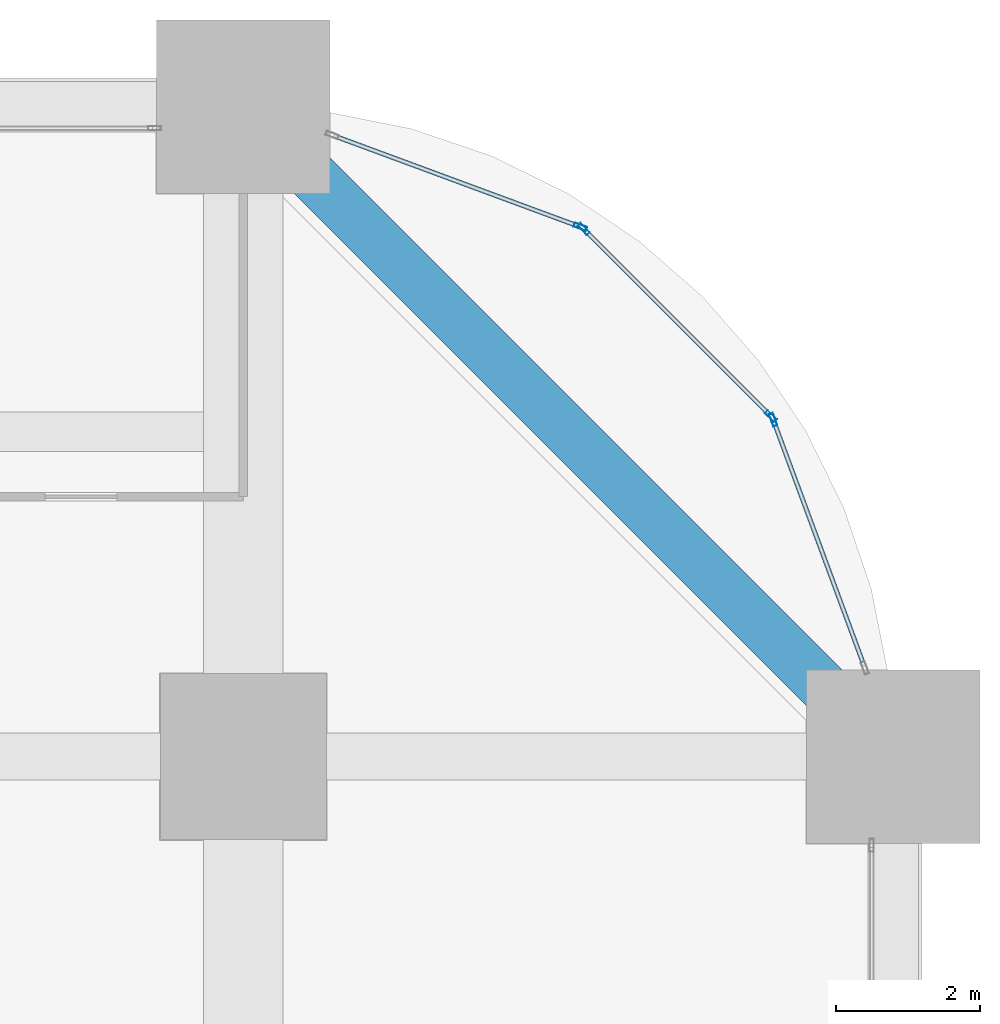
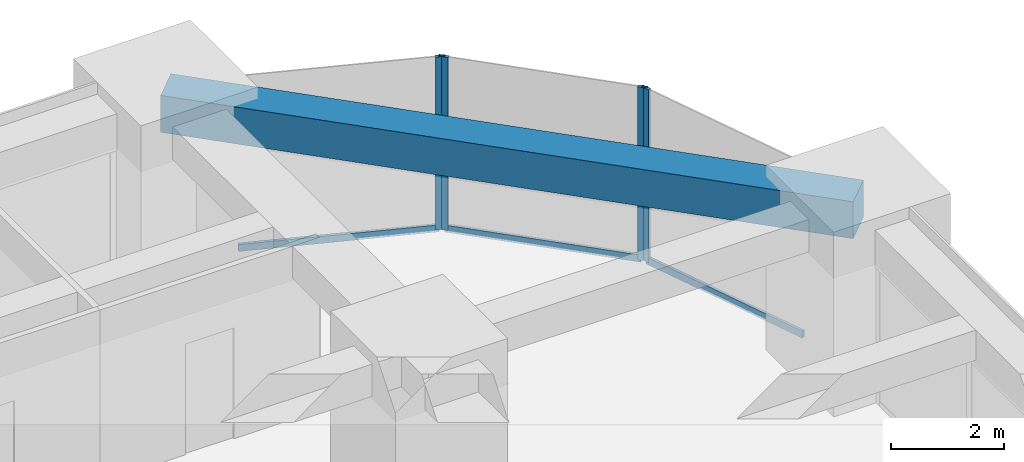
# One storey, part 37 of 44: 7 members, 1 beam, 3 elements without a shape of their own.
"""IFC4 building model written with IfcOpenShell, lengths in metres."""

from ifc_helpers import new_model, si_unit, direction, frame, origin, origin_2d, place, context, subcontext, project, spatial, rectangle, hollow_rectangle, extrude, material, material_profile, profile_set, type_object, element, aggregate, save


model = new_model("IFC4")

# Units and contexts
model_context = context("Model", 3, precision=1e-05, world=origin(), true_north=direction((0.0, 1.0)))
body_context = subcontext(model_context, "Body", "Model", "MODEL_VIEW")
ifc_project = project(units=[si_unit("LENGTHUNIT", "METRE"), si_unit("AREAUNIT", "SQUARE_METRE"), si_unit("VOLUMEUNIT", "CUBIC_METRE"), si_unit("PLANEANGLEUNIT", "RADIAN"), si_unit("MASSUNIT", "GRAM", prefix="KILO")], contexts=[model_context])

# Site, building, storey
site_placement = place(None, origin())
site = spatial("IfcSite", under=ifc_project, at=site_placement, CompositionType="ELEMENT")
building_placement = place(site_placement, origin())
building = spatial("IfcBuilding", under=site, at=building_placement, Name="Zorevar Civic Tower", CompositionType="ELEMENT")
storey_placement = place(building_placement, frame((0.0, 0.0, 35.800048828125)))
storey = spatial("IfcBuildingStorey", under=building, at=storey_placement, Name="L08", CompositionType="ELEMENT", Elevation=35.800048828125)

# Curtain wall, member
ifc_material_1 = material(Name="Dark grey solar-control glass in black aluminium frame", Category="aluminium")
curtain_wall_type = type_object("IfcCurtainWallType", Name="Curtain wall CW2 low zone", PredefinedType="NOTDEFINED", material=ifc_material_1)
curtain_wall_1_placement = place(storey_placement, origin())
curtain_wall_1 = element("IfcCurtainWall", 1, at=curtain_wall_1_placement, inside=storey, type_object=curtain_wall_type, Name="CW2 L08", PredefinedType="NOTDEFINED")
ifc_material_2 = material(Name="Aluminium, black anodised", Category="aluminium")
ifc_material_profile_1 = material_profile(ifc_material_2, hollow_rectangle(XDim=0.06005859375, YDim=0.179931640625, WallThickness=0.00390625, at=origin_2d()), Name="AL 180x60x4")
ifc_profile_set_1 = profile_set([ifc_material_profile_1], Name="Aluminium, black anodised")
member_type_1 = type_object("IfcMemberType", Name="CW2 mullion AL 180x60x4", PredefinedType="MULLION", material=ifc_profile_set_1)
member_1_placement = place(storey_placement, frame((61.336181640625, 49.66455078125, 0.0), z_axis=(0.0, 0.0, 1.0), x_axis=(-0.937974588163, -0.346704012033, 0.0)))
member_1 = element("IfcMember", 2, at=member_1_placement, type_object=member_type_1, Name="CW2 mullion 2", PredefinedType="MULLION", context=body_context, shape_type="SweptSolid", body=[
    extrude(hollow_rectangle(XDim=0.06005859375, YDim=0.179931640625, WallThickness=0.00390625, at=origin_2d()), origin(), (0.0, 0.0, 1.0), 3.75),
])

# Curtain wall, members
curtain_wall_2_placement = place(storey_placement, origin())
curtain_wall_2 = element("IfcCurtainWall", 3, at=curtain_wall_2_placement, inside=storey, type_object=curtain_wall_type, Name="CW2 L08", PredefinedType="NOTDEFINED")
member_2_placement = place(storey_placement, frame((61.3046875, 49.7138671875, 0.0), z_axis=(0.0, 0.0, 1.0), x_axis=(-0.707106781187, -0.707106781187, 0.0)))
member_2 = element("IfcMember", 4, at=member_2_placement, type_object=member_type_1, Name="CW2 mullion 1", PredefinedType="MULLION", context=body_context, shape_type="SweptSolid", body=[
    extrude(hollow_rectangle(XDim=0.06005859375, YDim=0.179931640625, WallThickness=0.00390625, at=origin_2d()), origin(), (0.0, 0.0, 1.0), 3.75),
])
member_3_placement = place(storey_placement, frame((58.7138671875, 52.3046875, 0.0), z_axis=(0.0, 0.0, 1.0), x_axis=(-0.707106781187, -0.707106781187, 0.0)))
member_3 = element("IfcMember", 5, at=member_3_placement, type_object=member_type_1, Name="CW2 mullion 2", PredefinedType="MULLION", context=body_context, shape_type="SweptSolid", body=[
    extrude(hollow_rectangle(XDim=0.06005859375, YDim=0.179931640625, WallThickness=0.00390625, at=origin_2d()), origin(), (0.0, 0.0, 1.0), 3.75),
])

# Curtain wall, member
curtain_wall_3_placement = place(storey_placement, origin())
curtain_wall_3 = element("IfcCurtainWall", 6, at=curtain_wall_3_placement, inside=storey, type_object=curtain_wall_type, Name="CW2 L08", PredefinedType="NOTDEFINED")
member_4_placement = place(storey_placement, frame((58.66455078125, 52.336181640625, 0.0), z_axis=(0.0, 0.0, 1.0), x_axis=(-0.346704012033, -0.937974588163, 0.0)))
member_4 = element("IfcMember", 7, at=member_4_placement, type_object=member_type_1, Name="CW2 mullion 1", PredefinedType="MULLION", context=body_context, shape_type="SweptSolid", body=[
    extrude(hollow_rectangle(XDim=0.06005859375, YDim=0.179931640625, WallThickness=0.00390625, at=origin_2d()), origin(), (0.0, 0.0, 1.0), 3.75),
])

# Member
ifc_material_3 = material(Name="Aluminium, black anodised", Category="aluminium")
ifc_material_profile_2 = material_profile(ifc_material_3, hollow_rectangle(XDim=0.06005859375, YDim=0.14990234375, WallThickness=0.00390625, at=origin_2d()), Name="AL 150x60x4")
ifc_profile_set_2 = profile_set([ifc_material_profile_2], Name="Aluminium, black anodised")
member_type_2 = type_object("IfcMemberType", Name="CW2 transom AL 150x60x4", PredefinedType="USERDEFINED", material=ifc_profile_set_2)
member_5_placement = place(storey_placement, frame((62.595947265625, 46.25634765625, 0.030029296875), z_axis=(-0.346672169799, 0.93798635741, 0.0), x_axis=(-0.93798635741, -0.346672169799, 0.0)))
member_5 = element("IfcMember", 8, at=member_5_placement, type_object=member_type_2, Name="CW2 sill transom", ObjectType="TRANSOM", PredefinedType="USERDEFINED", context=body_context, shape_type="SweptSolid", body=[
    extrude(hollow_rectangle(XDim=0.06005859375, YDim=0.14990234375, WallThickness=0.00390625, at=origin_2d()), origin(), (0.0, 0.0, 1.0), 3.603515625),
])

aggregate(curtain_wall_1, [member_1, member_5])

member_6_placement = place(storey_placement, frame((61.283447265625, 49.735107421875, 0.030029296875), z_axis=(-0.707106781187, 0.707106781187, 0.0), x_axis=(-0.707106781187, -0.707106781187, 0.0)))
member_6 = element("IfcMember", 9, at=member_6_placement, type_object=member_type_2, Name="CW2 sill transom", ObjectType="TRANSOM", PredefinedType="USERDEFINED", context=body_context, shape_type="SweptSolid", body=[
    extrude(hollow_rectangle(XDim=0.06005859375, YDim=0.14990234375, WallThickness=0.00390625, at=origin_2d()), origin(), (0.0, 0.0, 1.0), 3.60400390625),
])

aggregate(curtain_wall_2, [member_2, member_3, member_6])

member_7_placement = place(storey_placement, frame((58.636474609375, 52.3466796875, 0.030029296875), z_axis=(-0.93798635741, 0.346672169799, 0.0), x_axis=(-0.346672169799, -0.93798635741, 0.0)))
member_7 = element("IfcMember", 10, at=member_7_placement, type_object=member_type_2, Name="CW2 sill transom", ObjectType="TRANSOM", PredefinedType="USERDEFINED", context=body_context, shape_type="SweptSolid", body=[
    extrude(hollow_rectangle(XDim=0.06005859375, YDim=0.14990234375, WallThickness=0.00390625, at=origin_2d()), origin(), (0.0, 0.0, 1.0), 3.603515625),
])

aggregate(curtain_wall_3, [member_4, member_7])

# Beam
ifc_material_4 = material(Name="Concrete C50/60", Category="concrete")
ifc_material_profile_3 = material_profile(ifc_material_4, rectangle(XDim=0.699951171875, YDim=0.800048828125, at=origin_2d()), Name="RC 700x800")
ifc_profile_set_3 = profile_set([ifc_material_profile_3], Name="Concrete C50/60")
beam_type = type_object("IfcBeamType", Name="Edge beam RC 700x800", PredefinedType="SPANDREL", material=ifc_profile_set_3)
beam_placement = place(storey_placement, frame((63.0, 45.0, 3.349853515625), z_axis=(-0.707106781187, 0.707106781187, 0.0), x_axis=(-0.707106781187, -0.707106781187, 0.0)))
element("IfcBeam", 11, at=beam_placement, inside=storey, type_object=beam_type, Name="Corner edge beam L09", PredefinedType="SPANDREL", context=body_context, shape_type="SweptSolid", body=[
    extrude(rectangle(XDim=0.699951171875, YDim=0.800048828125, at=origin_2d()), origin(), (0.0, 0.0, 1.0), 12.72802734375),
])

save(model, "model.ifc")
